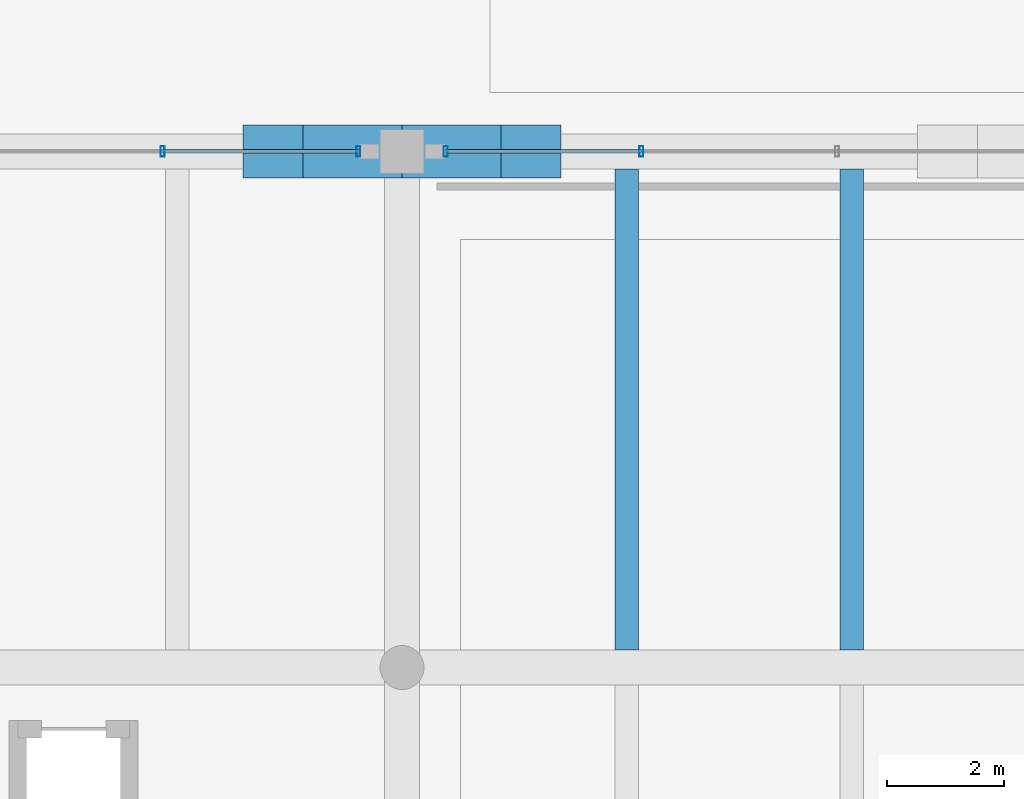
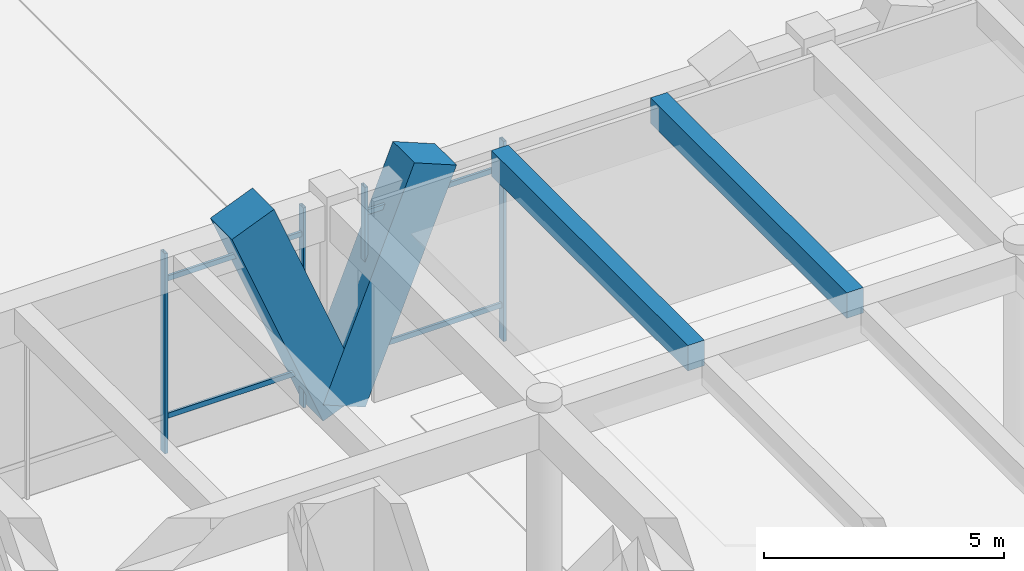
# One storey, part 31 of 148: 10 members, 2 beams, 2 elements without a shape of their own.
"""IFC4 building model written with IfcOpenShell, lengths in metres."""

from ifc_helpers import new_model, si_unit, direction, frame, origin, origin_2d, place, context, subcontext, project, spatial, rectangle, hollow_rectangle, extrude, material, material_profile, profile_set, type_object, element, aggregate, save


model = new_model("IFC4")

# Units and contexts
model_context = context("Model", 3, precision=1e-05, world=origin(), true_north=direction((0.0, 1.0)))
body_context = subcontext(model_context, "Body", "Model", "MODEL_VIEW")
ifc_project = project(units=[si_unit("LENGTHUNIT", "METRE"), si_unit("AREAUNIT", "SQUARE_METRE"), si_unit("VOLUMEUNIT", "CUBIC_METRE"), si_unit("PLANEANGLEUNIT", "RADIAN"), si_unit("MASSUNIT", "GRAM", prefix="KILO")], contexts=[model_context])

# Site, building, storey
site_placement = place(None, origin())
site = spatial("IfcSite", under=ifc_project, at=site_placement, CompositionType="ELEMENT")
building_placement = place(site_placement, origin())
building = spatial("IfcBuilding", under=site, at=building_placement, Name="Ologun Quay Terminus", CompositionType="ELEMENT")
storey_placement = place(building_placement, frame((0.0, 0.0, 8.39990234375)))
storey = spatial("IfcBuildingStorey", under=building, at=storey_placement, Name="L02", CompositionType="ELEMENT", Elevation=8.39990234375)

# Curtain wall, members
ifc_material_1 = material(Name="Aluminium 6063-T6", Category="aluminium")
curtain_wall_type = type_object("IfcCurtainWallType", Name="Train Shed South Clerestory Curtain Wall 10700x5050", PredefinedType="USERDEFINED", material=ifc_material_1)
curtain_wall_1_placement = place(storey_placement, origin())
curtain_wall_1 = element("IfcCurtainWall", 1, at=curtain_wall_1_placement, inside=storey, type_object=curtain_wall_type, Name="CW-08 Curtain Wall CW-L02-054", ObjectType="UNITISED CURTAIN WALL", PredefinedType="USERDEFINED")
ifc_material_2 = material(Name="Aluminium 6063-T6", Category="aluminium")
ifc_material_profile_1 = material_profile(ifc_material_2, hollow_rectangle(XDim=0.070068359375, YDim=0.179931640625, WallThickness=0.0048828125, at=origin_2d()), Name="ALU 180x70x5")
ifc_profile_set_1 = profile_set([ifc_material_profile_1], Name="Aluminium 6063-T6")
member_type_1 = type_object("IfcMemberType", Name="Concourse Clerestory Mullion 180x70", PredefinedType="MULLION", material=ifc_profile_set_1)
member_1_placement = place(storey_placement, frame((64.918212890625, 36.0, 0.0), z_axis=(0.0, 0.0, 1.0), x_axis=(1.0, 0.0, 0.0)))
member_1 = element("IfcMember", 2, at=member_1_placement, type_object=member_type_1, Name="CW-L02-054 Mullion 3", PredefinedType="MULLION", context=body_context, shape_type="SweptSolid", body=[
    extrude(hollow_rectangle(XDim=0.070068359375, YDim=0.179931640625, WallThickness=0.0048828125, at=origin_2d()), origin(), (0.0, 0.0, 1.0), 5.10009765625),
])
member_2_placement = place(storey_placement, frame((68.2548828125, 36.0, 0.0), z_axis=(0.0, 0.0, 1.0), x_axis=(1.0, 0.0, 0.0)))
member_2 = element("IfcMember", 3, at=member_2_placement, type_object=member_type_1, Name="CW-L02-054 Mullion 4", PredefinedType="MULLION", context=body_context, shape_type="SweptSolid", body=[
    extrude(hollow_rectangle(XDim=0.070068359375, YDim=0.179931640625, WallThickness=0.0048828125, at=origin_2d()), origin(), (0.0, 0.0, 1.0), 5.10009765625),
])

curtain_wall_2_placement = place(storey_placement, origin())
curtain_wall_2 = element("IfcCurtainWall", 4, at=curtain_wall_2_placement, inside=storey, type_object=curtain_wall_type, Name="CW-08 Curtain Wall CW-L02-056", ObjectType="UNITISED CURTAIN WALL", PredefinedType="USERDEFINED")
member_3_placement = place(storey_placement, frame((69.7451171875, 36.0, 0.0), z_axis=(0.0, 0.0, 1.0), x_axis=(1.0, 0.0, 0.0)))
member_3 = element("IfcMember", 5, at=member_3_placement, type_object=member_type_1, Name="CW-L02-056 Mullion 1", PredefinedType="MULLION", context=body_context, shape_type="SweptSolid", body=[
    extrude(hollow_rectangle(XDim=0.070068359375, YDim=0.179931640625, WallThickness=0.0048828125, at=origin_2d()), origin(), (0.0, 0.0, 1.0), 5.10009765625),
])
member_4_placement = place(storey_placement, frame((73.081787109375, 36.0, 0.0), z_axis=(0.0, 0.0, 1.0), x_axis=(1.0, 0.0, 0.0)))
member_4 = element("IfcMember", 6, at=member_4_placement, type_object=member_type_1, Name="CW-L02-056 Mullion 2", PredefinedType="MULLION", context=body_context, shape_type="SweptSolid", body=[
    extrude(hollow_rectangle(XDim=0.070068359375, YDim=0.179931640625, WallThickness=0.0048828125, at=origin_2d()), origin(), (0.0, 0.0, 1.0), 5.10009765625),
])

# Member
ifc_material_3 = material(Name="Aluminium 6063-T6", Category="aluminium")
ifc_material_profile_2 = material_profile(ifc_material_3, hollow_rectangle(XDim=0.06005859375, YDim=0.1298828125, WallThickness=0.00390625, at=origin_2d()), Name="ALU 130x60x4")
ifc_profile_set_2 = profile_set([ifc_material_profile_2], Name="Aluminium 6063-T6")
member_type_2 = type_object("IfcMemberType", Name="Concourse Clerestory Transom 130x60", PredefinedType="USERDEFINED", material=ifc_profile_set_2)
member_5_placement = place(storey_placement, frame((64.918212890625, 36.0, 0.900146484375), z_axis=(1.0, 0.0, 0.0), x_axis=(0.0, 1.0, 0.0)))
member_5 = element("IfcMember", 7, at=member_5_placement, type_object=member_type_2, Name="CW-L02-054 Transom B3-1", ObjectType="TRANSOM", PredefinedType="USERDEFINED", context=body_context, shape_type="SweptSolid", body=[
    extrude(hollow_rectangle(XDim=0.06005859375, YDim=0.1298828125, WallThickness=0.00390625, at=origin_2d()), origin(), (0.0, 0.0, 1.0), 3.336669921875),
])

member_6_placement = place(storey_placement, frame((64.918212890625, 36.0, 4.400146484375), z_axis=(1.0, 0.0, 0.0), x_axis=(0.0, 1.0, 0.0)))
member_6 = element("IfcMember", 8, at=member_6_placement, type_object=member_type_2, Name="CW-L02-054 Transom B3-2", ObjectType="TRANSOM", PredefinedType="USERDEFINED", context=body_context, shape_type="SweptSolid", body=[
    extrude(hollow_rectangle(XDim=0.06005859375, YDim=0.1298828125, WallThickness=0.00390625, at=origin_2d()), origin(), (0.0, 0.0, 1.0), 3.336669921875),
])

aggregate(curtain_wall_1, [member_1, member_2, member_5, member_6])

member_7_placement = place(storey_placement, frame((69.7451171875, 36.0, 0.900146484375), z_axis=(1.0, 0.0, 0.0), x_axis=(0.0, 1.0, 0.0)))
member_7 = element("IfcMember", 9, at=member_7_placement, type_object=member_type_2, Name="CW-L02-056 Transom B1-1", ObjectType="TRANSOM", PredefinedType="USERDEFINED", context=body_context, shape_type="SweptSolid", body=[
    extrude(hollow_rectangle(XDim=0.06005859375, YDim=0.1298828125, WallThickness=0.00390625, at=origin_2d()), origin(), (0.0, 0.0, 1.0), 3.336669921875),
])

member_8_placement = place(storey_placement, frame((69.7451171875, 36.0, 4.400146484375), z_axis=(1.0, 0.0, 0.0), x_axis=(0.0, 1.0, 0.0)))
member_8 = element("IfcMember", 10, at=member_8_placement, type_object=member_type_2, Name="CW-L02-056 Transom B1-2", ObjectType="TRANSOM", PredefinedType="USERDEFINED", context=body_context, shape_type="SweptSolid", body=[
    extrude(hollow_rectangle(XDim=0.06005859375, YDim=0.1298828125, WallThickness=0.00390625, at=origin_2d()), origin(), (0.0, 0.0, 1.0), 3.336669921875),
])

aggregate(curtain_wall_2, [member_3, member_4, member_7, member_8])

# Members
ifc_material_4 = material(Name="Concrete C45/55", Category="concrete")
ifc_material_profile_3 = material_profile(ifc_material_4, rectangle(XDim=0.89990234375, YDim=1.10009765625, at=origin_2d()), Name="RC 900x1100")
ifc_profile_set_3 = profile_set([ifc_material_profile_3], Name="Concrete C45/55")
member_type_3 = type_object("IfcMemberType", Name="Sculpted Concrete Arch V-Buttress Strut 900x1100", PredefinedType="STRUT", material=ifc_profile_set_3)
for number, where, z_axis, x_axis, name in (
    (11, (69.0, 36.0, 0.0), (-0.377280927807, 0.0, 0.926098861631), (0.0, -1.0, 0.0), "VS1 Arch V-Buttress West Limb 7/E"),
    (12, (69.0, 36.0, 0.0), (0.377280927807, 0.0, 0.926098861631), (0.0, 1.0, 0.0), "VS1 Arch V-Buttress East Limb 7/E"),
):
    element("IfcMember", number, at=place(storey_placement, frame(where, z_axis=z_axis, x_axis=x_axis)), inside=storey, type_object=member_type_3, Name=name, PredefinedType="STRUT", context=body_context, shape_type="SweptSolid", body=[
        extrude(rectangle(XDim=0.89990234375, YDim=1.10009765625, at=origin_2d()), origin(), (0.0, 0.0, 1.0), 5.8310546875),
    ])

# Beams
ifc_material_5 = material(Name="Concrete C40/50", Category="concrete")
ifc_material_profile_4 = material_profile(ifc_material_5, rectangle(XDim=0.39990234375, YDim=0.64990234375, at=origin_2d()), Name="RC 400x650")
ifc_profile_set_4 = profile_set([ifc_material_profile_4], Name="Concrete C40/50")
beam_type = type_object("IfcBeamType", Name="Station Secondary Joist 400x650", PredefinedType="JOIST", material=ifc_profile_set_4)
for number, where, z_axis, x_axis, name in (
    (13, (72.833251953125, 27.5, 4.8251953125), (0.0, 1.0, 0.0), (-1.0, 0.0, 0.0), "J1 Beam 7/D L02"),
    (14, (76.666748046875, 27.5, 4.8251953125), (0.0, 1.0, 0.0), (-1.0, 0.0, 0.0), "J1 Beam 7/D L02"),
):
    element("IfcBeam", number, at=place(storey_placement, frame(where, z_axis=z_axis, x_axis=x_axis)), inside=storey, type_object=beam_type, Name=name, PredefinedType="JOIST", context=body_context, shape_type="SweptSolid", body=[
        extrude(rectangle(XDim=0.39990234375, YDim=0.64990234375, at=origin_2d()), origin(), (0.0, 0.0, 1.0), 8.199951171875),
    ])

save(model, "model.ifc")
